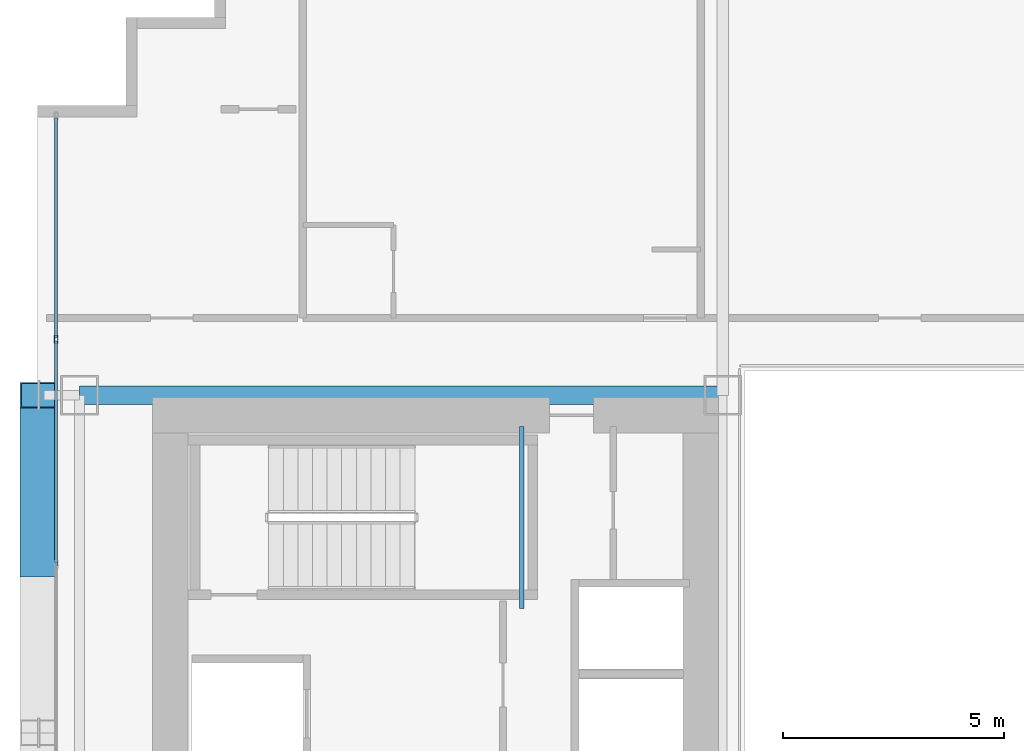
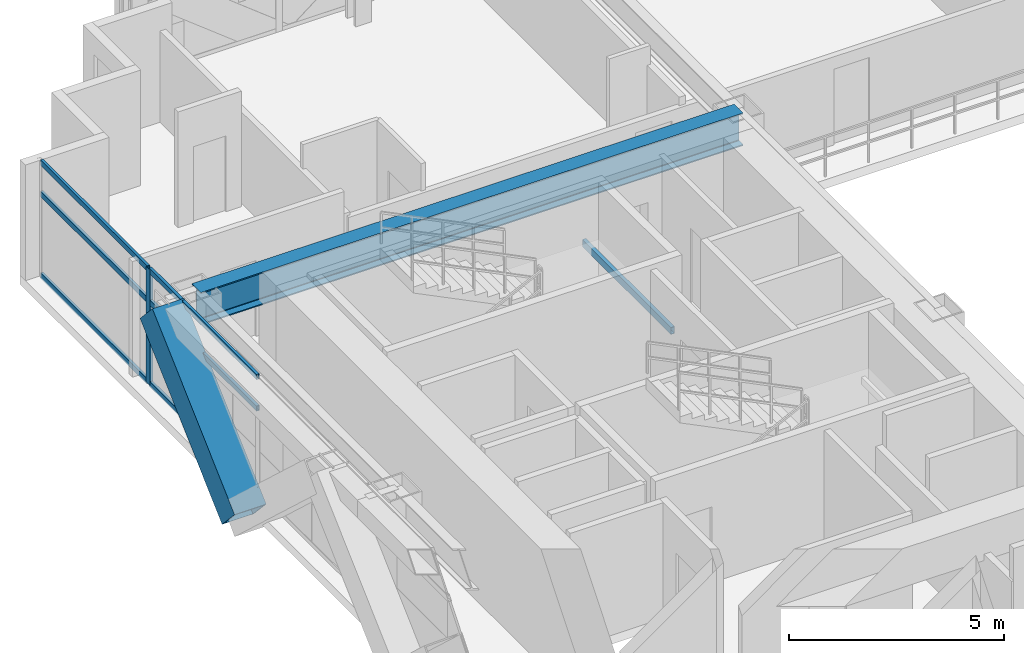
# One storey, part 16 of 35: 8 members, 2 beams, 1 element without a shape of its own.
"""IFC4 building model written with IfcOpenShell, lengths in metres."""

from ifc_helpers import new_model, si_unit, direction, frame, origin, origin_2d, place, context, subcontext, project, spatial, hollow_rectangle, i_section, extrude, source, transform, mapped, material, layer, layer_set, material_profile, profile_set, type_object, element, aggregate, save


model = new_model("IFC4")

# Units and contexts
model_context = context("Model", 3, precision=1e-05, world=origin(), true_north=direction((0.0, 1.0)))
body_context = subcontext(model_context, "Body", "Model", "MODEL_VIEW")
ifc_project = project(units=[si_unit("LENGTHUNIT", "METRE"), si_unit("AREAUNIT", "SQUARE_METRE"), si_unit("VOLUMEUNIT", "CUBIC_METRE"), si_unit("PLANEANGLEUNIT", "RADIAN"), si_unit("MASSUNIT", "GRAM", prefix="KILO")], contexts=[model_context])

# Site, building, storey
site_placement = place(None, origin())
site = spatial("IfcSite", under=ifc_project, at=site_placement, CompositionType="ELEMENT")
building_placement = place(site_placement, origin())
building = spatial("IfcBuilding", under=site, at=building_placement, Name="Ocotamira Hotel", CompositionType="ELEMENT")
storey_placement = place(building_placement, frame((0.0, 0.0, 81.60009765625)))
storey = spatial("IfcBuildingStorey", under=building, at=storey_placement, Name="L20", CompositionType="ELEMENT", Elevation=81.60009765625)

# Beams
ifc_material_1 = material(Name="Steel ASTM A500 Grade C", Category="steel")
ifc_material_profile_1 = material_profile(ifc_material_1, hollow_rectangle(XDim=0.10009765625, YDim=0.199951171875, WallThickness=0.008056640625, at=origin_2d()), Name="HSS200X100X8")
ifc_profile_set_1 = profile_set([ifc_material_profile_1], Name="Steel ASTM A500 Grade C")
beam_type_1 = type_object("IfcBeamType", Name="BM-STLDG-HSS200", PredefinedType="BEAM", material=ifc_profile_set_1)
shared_shape_1 = source(origin(), body_context, "Body", "SweptSolid", [
    extrude(hollow_rectangle(XDim=0.10009765625, YDim=0.199951171875, WallThickness=0.008056640625, at=origin_2d()), origin(), (0.0, 0.0, 1.0), 4.1201171875),
])
beam_1_placement = place(storey_placement, frame((18.949951171875, 32.6298828125, 1.5), z_axis=(0.0, 1.0, 0.0), x_axis=(-1.0, 0.0, 0.0)))
element("IfcBeam", 1, at=beam_1_placement, inside=storey, type_object=beam_type_1, Name="L20 Stair ST-2 Landing Bearer 1", PredefinedType="BEAM", context=body_context, shape_type="MappedRepresentation", body=[
    mapped(shared_shape_1, transform((0.0, 0.0, 0.0), scale=1.0)),
])
ifc_material_2 = material(Name="Steel ASTM A992 Grade 50", Category="steel")
ifc_material_profile_2 = material_profile(ifc_material_2, i_section(OverallWidth=0.41796875, OverallDepth=0.927001953125, WebThickness=0.019287109375, FlangeThickness=0.031982421875, FilletRadius=0.02392578125, at=origin_2d()), Name="W36X231")
ifc_profile_set_2 = profile_set([ifc_material_profile_2], Name="Steel ASTM A992 Grade 50")
beam_type_2 = type_object("IfcBeamType", Name="BM-GIRD-W36X231", PredefinedType="BEAM", material=ifc_profile_set_2)
shared_shape_2 = source(origin(), body_context, "Body", "SweptSolid", [
    extrude(i_section(OverallWidth=0.41796875, OverallDepth=0.927001953125, WebThickness=0.019287109375, FlangeThickness=0.031982421875, FilletRadius=0.02392578125, at=origin_2d()), origin(), (0.0, 0.0, 1.0), 14.550048828125),
])
beam_2_placement = place(storey_placement, frame((8.949951171875, 37.449951171875, 2.81640625), z_axis=(1.0, 0.0, 0.0), x_axis=(0.0, 1.0, 0.0)))
element("IfcBeam", 2, at=beam_2_placement, inside=storey, type_object=beam_type_2, Name="L20 Girder Y37.45 X8.95-23.5", PredefinedType="BEAM", context=body_context, shape_type="MappedRepresentation", body=[
    mapped(shared_shape_2, transform((0.0, 0.0, 0.0), scale=1.0)),
])

# Member
ifc_material_3 = material(Name="Pale-metal coated steel ASTM A913 Grade 65", Category="steel")
ifc_material_profile_3 = material_profile(ifc_material_3, hollow_rectangle(XDim=0.85009765625, YDim=0.85009765625, WallThickness=0.035888671875, at=origin_2d()), Name="BOX850X850X36")
ifc_profile_set_3 = profile_set([ifc_material_profile_3], Name="Pale-metal coated steel ASTM A913 Grade 65")
member_type_1 = type_object("IfcMemberType", Name="MEM-EXO-BOX850", PredefinedType="BRACE", material=ifc_profile_set_3)
shared_shape_3 = source(origin(), body_context, "Body", "SweptSolid", [
    extrude(hollow_rectangle(XDim=0.85009765625, YDim=0.85009765625, WallThickness=0.035888671875, at=origin_2d()), origin(), (0.0, 0.0, 1.0), 5.19873046875),
])
member_1_placement = place(storey_placement, frame((8.030029296875, 33.63330078125, -0.5), z_axis=(0.0, 0.734158546733, 0.67897807642), x_axis=(-1.0, 0.0, 0.0)))
element("IfcMember", 3, at=member_1_placement, inside=storey, type_object=member_type_1, Name="L20 Exoskeleton Diagrid W2.2", PredefinedType="BRACE", context=body_context, shape_type="MappedRepresentation", body=[
    mapped(shared_shape_3, transform((0.0, 0.0, 0.0), scale=1.0)),
])

# Curtain wall, members
ifc_material_4 = material(Name="Anodised pale-metal aluminium and solar glass", Category="aluminium")
ifc_layer = layer(ifc_material_4, 0.179931640625)
ifc_layer_set = layer_set([ifc_layer], Name="Anodised pale-metal aluminium and solar glass")
curtain_wall_type = type_object("IfcCurtainWallType", Name="CW-SYS2-Z1", PredefinedType="NOTDEFINED", material=ifc_layer_set)
curtain_wall_placement = place(storey_placement, origin())
curtain_wall = element("IfcCurtainWall", 4, at=curtain_wall_placement, inside=storey, type_object=curtain_wall_type, Name="L20 Curtain Wall CW-2 CW-L20-W", PredefinedType="NOTDEFINED")
ifc_material_5 = material(Name="Anodised pale-metal aluminium 6063-T6", Category="aluminium")
ifc_material_profile_4 = material_profile(ifc_material_5, hollow_rectangle(XDim=0.074951171875, YDim=0.14990234375, WallThickness=0.006103515625, at=origin_2d()), Name="HSS150X75X6")
ifc_profile_set_4 = profile_set([ifc_material_profile_4], Name="Anodised pale-metal aluminium 6063-T6")
member_type_2 = type_object("IfcMemberType", Name="CWT-150X75", PredefinedType="USERDEFINED", material=ifc_profile_set_4)
shared_shape_4 = source(origin(), body_context, "Body", "SweptSolid", [
    extrude(hollow_rectangle(XDim=0.074951171875, YDim=0.14990234375, WallThickness=0.006103515625, at=origin_2d()), origin(), (0.0, 0.0, 1.0), 4.965576171875),
])
member_2_placement = place(storey_placement, frame((8.419921875, 38.75439453125, 0.037353515625), z_axis=(0.0, 1.0, 0.0), x_axis=(-1.0, 0.0, 0.0)))
member_2 = element("IfcMember", 5, at=member_2_placement, type_object=member_type_2, Name="CW-2 transom 7.1", ObjectType="TRANSOM", PredefinedType="USERDEFINED", context=body_context, shape_type="MappedRepresentation", body=[
    mapped(shared_shape_4, transform((0.0, 0.0, 0.0), scale=1.0)),
])
member_3_placement = place(storey_placement, frame((8.419921875, 38.75439453125, 2.349853515625), z_axis=(0.0, 1.0, 0.0), x_axis=(-1.0, 0.0, 0.0)))
member_3 = element("IfcMember", 6, at=member_3_placement, type_object=member_type_2, Name="CW-2 transom 7.2", ObjectType="TRANSOM", PredefinedType="USERDEFINED", context=body_context, shape_type="MappedRepresentation", body=[
    mapped(shared_shape_4, transform((0.0, 0.0, 0.0), scale=1.0)),
])
member_4_placement = place(storey_placement, frame((8.419921875, 38.75439453125, 3.242431640625), z_axis=(0.0, 1.0, 0.0), x_axis=(-1.0, 0.0, 0.0)))
member_4 = element("IfcMember", 7, at=member_4_placement, type_object=member_type_2, Name="CW-2 transom 7.3", ObjectType="TRANSOM", PredefinedType="USERDEFINED", context=body_context, shape_type="MappedRepresentation", body=[
    mapped(shared_shape_4, transform((0.0, 0.0, 0.0), scale=1.0)),
])
shared_shape_5 = source(origin(), body_context, "Body", "SweptSolid", [
    extrude(hollow_rectangle(XDim=0.074951171875, YDim=0.14990234375, WallThickness=0.006103515625, at=origin_2d()), origin(), (0.0, 0.0, 1.0), 5.005859375),
])
member_5_placement = place(storey_placement, frame((8.419921875, 33.66845703125, 0.037353515625), z_axis=(0.0, 1.0, 0.0), x_axis=(-1.0, 0.0, 0.0)))
member_5 = element("IfcMember", 8, at=member_5_placement, type_object=member_type_2, Name="CW-2 transom 6.1", ObjectType="TRANSOM", PredefinedType="USERDEFINED", context=body_context, shape_type="MappedRepresentation", body=[
    mapped(shared_shape_5, transform((0.0, 0.0, 0.0), scale=1.0)),
])
member_6_placement = place(storey_placement, frame((8.419921875, 33.66845703125, 2.349853515625), z_axis=(0.0, 1.0, 0.0), x_axis=(-1.0, 0.0, 0.0)))
member_6 = element("IfcMember", 9, at=member_6_placement, type_object=member_type_2, Name="CW-2 transom 6.2", ObjectType="TRANSOM", PredefinedType="USERDEFINED", context=body_context, shape_type="MappedRepresentation", body=[
    mapped(shared_shape_5, transform((0.0, 0.0, 0.0), scale=1.0)),
])
member_7_placement = place(storey_placement, frame((8.419921875, 33.66845703125, 3.242431640625), z_axis=(0.0, 1.0, 0.0), x_axis=(-1.0, 0.0, 0.0)))
member_7 = element("IfcMember", 10, at=member_7_placement, type_object=member_type_2, Name="CW-2 transom 6.3", ObjectType="TRANSOM", PredefinedType="USERDEFINED", context=body_context, shape_type="MappedRepresentation", body=[
    mapped(shared_shape_5, transform((0.0, 0.0, 0.0), scale=1.0)),
])
ifc_material_profile_5 = material_profile(ifc_material_5, hollow_rectangle(XDim=0.080078125, YDim=0.179931640625, WallThickness=0.006103515625, at=origin_2d()), Name="HSS180X80X6")
ifc_profile_set_5 = profile_set([ifc_material_profile_5], Name="Anodised pale-metal aluminium 6063-T6")
member_type_3 = type_object("IfcMemberType", Name="CWM-180X75", PredefinedType="MULLION", material=ifc_profile_set_5)
shared_shape_6 = source(origin(), body_context, "Body", "SweptSolid", [
    extrude(hollow_rectangle(XDim=0.080078125, YDim=0.179931640625, WallThickness=0.006103515625, at=origin_2d()), origin(), (0.0, 0.0, 1.0), 3.27978515625),
])
member_8_placement = place(storey_placement, frame((8.419921875, 38.71435546875, 0.0), z_axis=(0.0, 0.0, 1.0), x_axis=(-1.0, 0.0, 0.0)))
member_8 = element("IfcMember", 11, at=member_8_placement, type_object=member_type_3, Name="CW-2 mullion 7", PredefinedType="MULLION", context=body_context, shape_type="MappedRepresentation", body=[
    mapped(shared_shape_6, transform((0.0, 0.0, 0.0), scale=1.0)),
])
aggregate(curtain_wall, [member_8, member_5, member_6, member_7, member_2, member_3, member_4])

save(model, "model.ifc")
